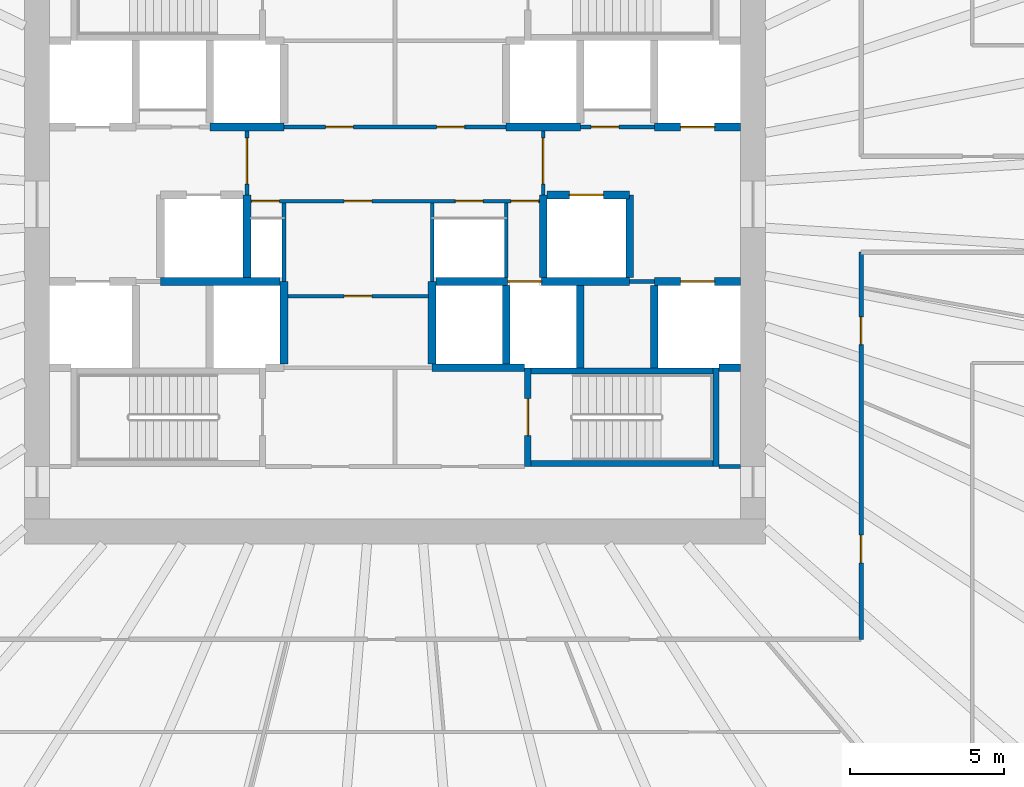
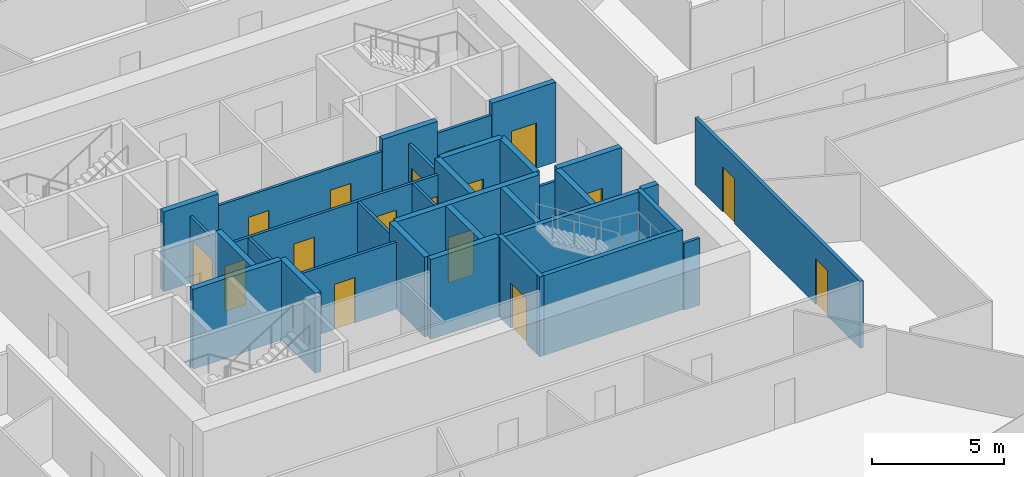
# One storey, part 7 of 10: 33 walls, 17 doors, 17 openings.
"""IFC4 building model written with IfcOpenShell, lengths in metres."""

import ifcopenshell
import ifcopenshell.guid

model = None  # the IFC model being written
_history = None  # IfcOwnerHistory: only IFC2X3 demands one
_inside = {}  # id of a spatial element -> (the spatial element, [elements in it])
_under = {}  # id of a project, library or spatial element -> (it, [spatial elements below it])
_declared = {}  # id of a project -> (the project, [libraries it declares])
_typed = {}  # id of a type object -> (the type object, [elements of that type])
_made_of = {}  # id of a material, layer set ... -> (it, [elements and type objects made of it])


def new_model(schema):
    """Start an empty IFC model of exactly this schema.

    Asked for "IFC4X3", IfcOpenShell would pick the latest addendum, in which some entities
    have other attributes; the version numbers below select the first issue.
    IFC2X3 requires an IfcOwnerHistory on every rooted entity: one is made here for all.
    """
    global model, _history
    if schema == "IFC4X3":
        model = ifcopenshell.file(schema_version=(4, 3, 0, 0))
    else:
        model = ifcopenshell.file(schema=schema)
    _inside.clear()
    _under.clear()
    _declared.clear()
    _typed.clear()
    _made_of.clear()
    _history = None
    if model.schema == "IFC2X3":
        org = make("IfcOrganization", Name="unknown")
        user = make(
            "IfcPersonAndOrganization",
            ThePerson=make("IfcPerson", FamilyName="unknown"),
            TheOrganization=org,
        )
        app = make(
            "IfcApplication",
            ApplicationDeveloper=org,
            Version="unknown",
            ApplicationFullName="unknown",
            ApplicationIdentifier="unknown",
        )
        _history = make(
            "IfcOwnerHistory",
            OwningUser=user,
            OwningApplication=app,
            ChangeAction="ADDED",
            CreationDate=0,
        )
    return model


def make(cls, **values):
    """One entity of the class cls with the attributes given. An attribute that is None is left unset."""
    return model.create_entity(
        cls, **{name: value for name, value in values.items() if value is not None}
    )


def rooted(cls, **values):
    """An entity with a GlobalId (a new one), such as an element, a storey or a relation."""
    return make(cls, GlobalId=ifcopenshell.guid.new(), OwnerHistory=_history, **values)


def si_unit(unit_type, name, prefix=None):
    """IfcSIUnit, for example si_unit("LENGTHUNIT", "METRE", prefix="MILLI")."""
    return make("IfcSIUnit", UnitType=unit_type, Prefix=prefix, Name=name)


def assignment(units):
    """IfcUnitAssignment: the units of a project."""
    return None if units is None else make("IfcUnitAssignment", Units=units)


def point(xyz):
    """IfcCartesianPoint."""
    return None if xyz is None else make("IfcCartesianPoint", Coordinates=xyz)


def direction(xyz):
    """IfcDirection."""
    return None if xyz is None else make("IfcDirection", DirectionRatios=xyz)


def frame(location, z_axis=None, x_axis=None):
    """IfcAxis2Placement3D, a coordinate frame: its origin and axes. An axis left out is left unset."""
    return make(
        "IfcAxis2Placement3D",
        Location=point(location),
        Axis=direction(z_axis),
        RefDirection=direction(x_axis),
    )


def frame_2d(location, x_axis=None):
    """IfcAxis2Placement2D, a coordinate frame in the plane: its origin and x axis."""
    return make(
        "IfcAxis2Placement2D", Location=point(location), RefDirection=direction(x_axis)
    )


def origin():
    """The frame at (0, 0, 0) with its axes left unset."""
    return frame((0.0, 0.0, 0.0))


def place(relative_to, where):
    """IfcLocalPlacement: puts the frame where relative to a parent placement (None: the world)."""
    return make(
        "IfcLocalPlacement", PlacementRelTo=relative_to, RelativePlacement=where
    )


def context(
    kind, dimensions, precision=None, world=None, true_north=None, identifier=None
):
    """IfcGeometricRepresentationContext, for example the 3D "Model" context."""
    return make(
        "IfcGeometricRepresentationContext",
        ContextIdentifier=identifier,
        ContextType=kind,
        CoordinateSpaceDimension=dimensions,
        Precision=precision,
        WorldCoordinateSystem=world,
        TrueNorth=true_north,
    )


def subcontext(parent, identifier, kind, view, scale=None):
    """IfcGeometricRepresentationSubContext, for example "Body" below "Model"."""
    return make(
        "IfcGeometricRepresentationSubContext",
        ContextIdentifier=identifier,
        ContextType=kind,
        ParentContext=parent,
        TargetScale=scale,
        TargetView=view,
    )


def project(units=None, contexts=None):
    """IfcProject with its units and contexts."""
    return rooted(
        "IfcProject",
        Name="project",
        RepresentationContexts=contexts,
        UnitsInContext=assignment(units),
    )


def spatial(cls, under=None, at=None, **own):
    """A site, building, storey or space (cls), placed at a placement, below another one or the project."""
    s = rooted(cls, ObjectPlacement=at, **own)
    if under is not None:
        _under.setdefault(under.id(), (under, []))[1].append(s)
    return s


def profile(cls, at=None, kind="AREA", **sizes):
    """A parametric profile (cls). Its sizes go by their IFC names, for example OverallWidth=200.0."""
    return make(cls, ProfileType=kind, Position=at, **sizes)


def rectangle(**sizes):
    """IfcRectangleProfileDef."""
    return profile("IfcRectangleProfileDef", **sizes)


def extrude(swept, where, along, depth):
    """IfcExtrudedAreaSolid: the profile swept, set in the frame where, extruded along a direction by depth."""
    return make(
        "IfcExtrudedAreaSolid",
        SweptArea=swept,
        Position=where,
        ExtrudedDirection=direction(along),
        Depth=depth,
    )


def shape(context_of_items, identifier, shape_type, items):
    """IfcShapeRepresentation: the items that make up one representation, for example the "Body"."""
    return make(
        "IfcShapeRepresentation",
        ContextOfItems=context_of_items,
        RepresentationIdentifier=identifier,
        RepresentationType=shape_type,
        Items=items,
    )


def source(mapping_origin, context_of_items, identifier, shape_type, items):
    """IfcRepresentationMap: a shape defined once, which mapped items show again and again."""
    return make(
        "IfcRepresentationMap",
        MappingOrigin=mapping_origin,
        MappedRepresentation=shape(context_of_items, identifier, shape_type, items),
    )


def transform(
    local_origin,
    x_axis=None,
    y_axis=None,
    z_axis=None,
    scale=None,
    scale2=None,
    scale3=None,
    uniform=True,
):
    """IfcCartesianTransformationOperator3D, or its non-uniform kind. x_axis, y_axis, z_axis: its Axis1, 2, 3."""
    if uniform:
        return make(
            "IfcCartesianTransformationOperator3D",
            Axis1=direction(x_axis),
            Axis2=direction(y_axis),
            LocalOrigin=point(local_origin),
            Scale=scale,
            Axis3=direction(z_axis),
        )
    return make(
        "IfcCartesianTransformationOperator3DnonUniform",
        Axis1=direction(x_axis),
        Axis2=direction(y_axis),
        LocalOrigin=point(local_origin),
        Scale=scale,
        Axis3=direction(z_axis),
        Scale2=scale2,
        Scale3=scale3,
    )


def mapped(mapping_source, mapping_target):
    """IfcMappedItem: shows the shape of a source again, moved by a transform."""
    return make(
        "IfcMappedItem", MappingSource=mapping_source, MappingTarget=mapping_target
    )


def material(Name=None, Category=None):
    """IfcMaterial."""
    return make("IfcMaterial", Name=Name, Category=Category)


def layer(
    of_material, thickness, ventilated=None, Name=None, Category=None, Priority=None
):
    """IfcMaterialLayer: one layer of a wall or slab, of a material (None: an air gap)."""
    return make(
        "IfcMaterialLayer",
        Material=of_material,
        LayerThickness=thickness,
        IsVentilated=ventilated,
        Name=Name,
        Category=Category,
        Priority=Priority,
    )


def layer_set(layers, Name=None):
    """IfcMaterialLayerSet."""
    return make("IfcMaterialLayerSet", MaterialLayers=layers, LayerSetName=Name)


def made_of(thing, what):
    """Note that an element or type object is made of a material, layer set ...; save() writes the relation."""
    if what is not None:
        _made_of.setdefault(what.id(), (what, []))[1].append(thing)
    return thing


def type_object(cls, material=None, **own):
    """A type object (cls), such as IfcWallType, which elements share."""
    return made_of(rooted(cls, **own), material)


def element(
    cls,
    number,
    at=None,
    inside=None,
    cuts=None,
    type_object=None,
    material=None,
    context=None,
    identifier="Body",
    shape_type=None,
    held_by="IfcProductDefinitionShape",
    body=None,
    shapes=None,
    **own,
):
    """One element of the class cls, such as IfcWall. Its Tag is "e" and its number.

    at: its placement. inside: the storey or other place that contains it. cuts: it is an
    opening in that element (IfcRelVoidsElement). A single representation is given by context,
    identifier, shape_type and body (its items); several are given by shapes. held_by: the class
    of the entity that holds the representations. save() writes the other relations.
    """
    e = rooted(cls, Tag="e%d" % number, ObjectPlacement=at, **own)
    if body is not None:
        shapes = [shape(context, identifier, shape_type, body)]
    if shapes is not None:
        e.Representation = make(held_by, Representations=shapes)
    if inside is not None:
        _inside.setdefault(inside.id(), (inside, []))[1].append(e)
    if cuts is not None:
        rooted(
            "IfcRelVoidsElement", RelatingBuildingElement=cuts, RelatedOpeningElement=e
        )
    if type_object is not None:
        _typed.setdefault(type_object.id(), (type_object, []))[1].append(e)
    return made_of(e, material)


def fill(opening, filler):
    """IfcRelFillsElement: the door or window that sits in an opening."""
    return rooted(
        "IfcRelFillsElement",
        RelatingOpeningElement=opening,
        RelatedBuildingElement=filler,
    )


def aggregate(whole, parts):
    """IfcRelAggregates: a whole, such as a stair, and the parts it consists of."""
    return rooted("IfcRelAggregates", RelatingObject=whole, RelatedObjects=parts)


def save(model, path):
    """Write the relations noted so far, then the file.

    IfcRelAggregates (storeys below a building ...), IfcRelContainedInSpatialStructure (elements
    in a storey), IfcRelDefinesByType, IfcRelAssociatesMaterial and IfcRelDeclares: one each for
    every whole, place, type object, material and project.
    """
    for whole, parts in _under.values():
        aggregate(whole, parts)
    for where, things in _inside.values():
        rooted(
            "IfcRelContainedInSpatialStructure",
            RelatedElements=things,
            RelatingStructure=where,
        )
    for kind, things in _typed.values():
        rooted("IfcRelDefinesByType", RelatedObjects=things, RelatingType=kind)
    for what, things in _made_of.values():
        rooted("IfcRelAssociatesMaterial", RelatedObjects=things, RelatingMaterial=what)
    for by, libraries in _declared.values():
        rooted("IfcRelDeclares", RelatingContext=by, RelatedDefinitions=libraries)
    model.write(path)


model = new_model("IFC4")

# Units and contexts
model_context = context("Model", 3, precision=1e-05, world=origin(), true_north=direction((0.0, 1.0)))
body_context = subcontext(model_context, "Body", "Model", "MODEL_VIEW")
ifc_project = project(units=[si_unit("LENGTHUNIT", "METRE"), si_unit("AREAUNIT", "SQUARE_METRE"), si_unit("VOLUMEUNIT", "CUBIC_METRE"), si_unit("PLANEANGLEUNIT", "RADIAN"), si_unit("MASSUNIT", "GRAM", prefix="KILO")], contexts=[model_context])

# Site, building, storey
site_placement = place(None, origin())
site = spatial("IfcSite", under=ifc_project, at=site_placement, CompositionType="ELEMENT")
building_placement = place(site_placement, origin())
building = spatial("IfcBuilding", under=site, at=building_placement, Name="Embergate Tower", CompositionType="ELEMENT")
storey_placement = place(building_placement, frame((0.0, 0.0, 156.0)))
storey = spatial("IfcBuildingStorey", under=building, at=storey_placement, Name="L34", CompositionType="ELEMENT", Elevation=156.0)

# Walls
ifc_material_1 = material(Name="Concrete C50", Category="concrete")
ifc_layer_1 = layer(ifc_material_1, 0.25)
ifc_layer_set_1 = layer_set([ifc_layer_1], Name="Concrete C50")
wall_type_1 = type_object("IfcWallType", Name="Hoistway wall reinforced concrete 250", PredefinedType="SHEAR", material=ifc_layer_set_1)
shared_shape_1 = source(origin(), body_context, "Body", "SweptSolid", [
    extrude(rectangle(XDim=2.675048828125, YDim=0.25, at=frame_2d((1.33740234375, 0.0))), origin(), (0.0, 0.0, 1.0), 3.699951171875),
])
for number, where, z_axis, x_axis, name in (
    (1, (-3.60009765625, -5.175048828125, 0.0), (0.0, 0.0, 1.0), (0.0, 1.0, 0.0), "HW-1 wall"),
    (2, (1.199951171875, -2.5, 0.0), (0.0, 0.0, 1.0), (0.0, -1.0, 0.0), "HW-1 wall"),
    (3, (-4.800048828125, 0.300048828125, 0.0), (0.0, 0.0, 1.0), (0.0, -1.0, 0.0), "HW-1 wall"),
    (4, (4.800048828125, -2.375, 0.0), (0.0, 0.0, 1.0), (0.0, 1.0, 0.0), "HW-1 wall"),
):
    element("IfcWall", number, at=place(storey_placement, frame(where, z_axis=z_axis, x_axis=x_axis)), inside=storey, type_object=wall_type_1, Name=name, PredefinedType="SHEAR", context=body_context, shape_type="MappedRepresentation", body=[
        mapped(shared_shape_1, transform((0.0, 0.0, 0.0))),
    ])

# Wall, opening, door
wall_1_placement = place(storey_placement, frame((7.60009765625, 0.300048828125, 0.0), z_axis=(0.0, 0.0, 1.0), x_axis=(-1.0, 0.0, 0.0)))
wall_1 = element("IfcWall", 5, at=wall_1_placement, inside=storey, type_object=wall_type_1, Name="HW-1 wall", PredefinedType="SHEAR", context=body_context, shape_type="MappedRepresentation", body=[
    mapped(shared_shape_1, transform((0.0, 0.0, 0.0))),
])
shared_shape_2 = source(origin(), body_context, "Body", "SweptSolid", [
    extrude(rectangle(XDim=1.10009765625, YDim=2.10009765625, at=frame_2d((0.550048828125, 1.050048828125))), frame((0.0, 0.135009765625, 0.0), z_axis=(0.0, -1.0, 0.0), x_axis=(1.0, 0.0, 0.0)), (0.0, 0.0, 1.0), 0.27001953125),
])
opening_1_placement = place(wall_1_placement, frame((0.85009765625, 0.0, 0.0)))
opening_1 = element("IfcOpeningElement", 6, at=opening_1_placement, cuts=wall_1, Name="Opening LD", PredefinedType="OPENING", context=body_context, shape_type="MappedRepresentation", body=[
    mapped(shared_shape_2, transform((0.0, 0.0, 0.0))),
])
ifc_material_2 = material(Name="Landing door sliding 1100")
door_type_1 = type_object("IfcDoorType", Name="Landing door sliding 1100", OperationType="SLIDING_TO_LEFT", PredefinedType="DOOR", material=ifc_material_2)
shared_shape_3 = source(origin(), body_context, "Body", "SweptSolid", [
    extrude(rectangle(XDim=1.10009765625, YDim=2.10009765625, at=frame_2d((0.550048828125, 1.050048828125))), frame((0.0, 0.02490234375, 0.0), z_axis=(0.0, -1.0, 0.0), x_axis=(1.0, 0.0, 0.0)), (0.0, 0.0, 1.0), 0.050048828125),
])
door_1_placement = place(opening_1_placement, origin())
door_1 = element("IfcDoor", 7, at=door_1_placement, inside=storey, type_object=door_type_1, Name="LD door", OperationType="SLIDING_TO_RIGHT", OverallHeight=2.10009765625, OverallWidth=1.10009765625, PredefinedType="DOOR", context=body_context, shape_type="MappedRepresentation", body=[
    mapped(shared_shape_3, transform((0.0, 0.0, 0.0))),
])
fill(opening_1, door_1)

# Walls
wall_2_placement = place(storey_placement, frame((7.60009765625, -2.375, 0.0), z_axis=(0.0, 0.0, 1.0), x_axis=(0.0, 1.0, 0.0)))
element("IfcWall", 8, at=wall_2_placement, inside=storey, type_object=wall_type_1, Name="HW-1 wall", PredefinedType="SHEAR", context=body_context, shape_type="MappedRepresentation", body=[
    mapped(shared_shape_1, transform((0.0, 0.0, 0.0))),
])
ifc_layer_2 = layer(ifc_material_1, 0.199951171875)
ifc_layer_set_2 = layer_set([ifc_layer_2], Name="Concrete C50")
wall_type_2 = type_object("IfcWallType", Name="Stair enclosure wall reinforced concrete 250", PredefinedType="SHEAR", material=ifc_layer_set_2)
shared_shape_4 = source(origin(), body_context, "Body", "SweptSolid", [
    extrude(rectangle(XDim=6.300048828125, YDim=0.199951171875, at=frame_2d((3.14990234375, 0.0))), origin(), (0.0, 0.0, 1.0), 3.699951171875),
])
for number, where, z_axis, x_axis, name in (
    (9, (4.199951171875, -5.39990234375, 0.0), (0.0, 0.0, 1.0), (1.0, 0.0, 0.0), "SE-1 wall"),
    (10, (4.199951171875, -8.39990234375, 0.0), (0.0, 0.0, 1.0), (1.0, 0.0, 0.0), "SE-1 wall"),
):
    element("IfcWall", number, at=place(storey_placement, frame(where, z_axis=z_axis, x_axis=x_axis)), inside=storey, type_object=wall_type_2, Name=name, PredefinedType="SHEAR", context=body_context, shape_type="MappedRepresentation", body=[
        mapped(shared_shape_4, transform((0.0, 0.0, 0.0))),
    ])
shared_shape_5 = source(origin(), body_context, "Body", "SweptSolid", [
    extrude(rectangle(XDim=2.550048828125, YDim=0.25, at=frame_2d((1.27490234375, 0.0))), origin(), (0.0, 0.0, 1.0), 3.699951171875),
])
wall_3_placement = place(storey_placement, frame((3.60009765625, -5.175048828125, 0.0), z_axis=(0.0, 0.0, 1.0), x_axis=(0.0, 1.0, 0.0)))
element("IfcWall", 11, at=wall_3_placement, inside=storey, type_object=wall_type_1, Name="HW-1 wall", PredefinedType="SHEAR", context=body_context, shape_type="MappedRepresentation", body=[
    mapped(shared_shape_5, transform((0.0, 0.0, 0.0))),
])

# Wall, opening, door
ifc_material_3 = material(Name="Core partition blockwork 120")
ifc_layer_3 = layer(ifc_material_3, 0.1201171875)
ifc_layer_set_3 = layer_set([ifc_layer_3], Name="Core partition blockwork 120")
wall_type_3 = type_object("IfcWallType", Name="Core partition blockwork 120", PredefinedType="PARTITIONING", material=ifc_layer_set_3)
shared_shape_6 = source(origin(), body_context, "Body", "SweptSolid", [
    extrude(rectangle(XDim=2.074951171875, YDim=0.1201171875, at=frame_2d((1.03759765625, 0.0))), origin(), (0.0, 0.0, 1.0), 3.10009765625),
])
wall_4_placement = place(storey_placement, frame((-4.800048828125, 2.375, 0.0), z_axis=(0.0, 0.0, 1.0), x_axis=(0.0, -1.0, 0.0)))
wall_4 = element("IfcWall", 12, at=wall_4_placement, inside=storey, type_object=wall_type_3, Name="IP-3 wall", PredefinedType="PARTITIONING", context=body_context, shape_type="MappedRepresentation", body=[
    mapped(shared_shape_6, transform((0.0, 0.0, 0.0))),
])
shared_shape_7 = source(origin(), body_context, "Body", "SweptSolid", [
    extrude(rectangle(XDim=1.5, YDim=2.10009765625, at=frame_2d((0.75, 1.050048828125))), frame((0.0, 0.070068359375, 0.0), z_axis=(0.0, -1.0, 0.0), x_axis=(1.0, 0.0, 0.0)), (0.0, 0.0, 1.0), 0.14013671875),
])
opening_2_placement = place(wall_4_placement, frame((0.22509765625, 0.0, 0.0)))
opening_2 = element("IfcOpeningElement", 13, at=opening_2_placement, cuts=wall_4, Name="Opening IF-3", PredefinedType="OPENING", context=body_context, shape_type="MappedRepresentation", body=[
    mapped(shared_shape_7, transform((0.0, 0.0, 0.0))),
])
ifc_material_4 = material(Name="Lobby fire door pair 1500")
door_type_2 = type_object("IfcDoorType", Name="Lobby fire door pair 1500", OperationType="DOUBLE_DOOR_SINGLE_SWING", PredefinedType="DOOR", material=ifc_material_4)
shared_shape_8 = source(origin(), body_context, "Body", "SweptSolid", [
    extrude(rectangle(XDim=1.5, YDim=2.10009765625, at=frame_2d((0.75, 1.050048828125))), frame((0.0, 0.02490234375, 0.0), z_axis=(0.0, -1.0, 0.0), x_axis=(1.0, 0.0, 0.0)), (0.0, 0.0, 1.0), 0.050048828125),
])
door_2_placement = place(opening_2_placement, origin())
door_2 = element("IfcDoor", 14, at=door_2_placement, inside=storey, type_object=door_type_2, Name="IF-3 door", OperationType="DOUBLE_DOOR_SINGLE_SWING", OverallHeight=2.10009765625, OverallWidth=1.5, PredefinedType="DOOR", context=body_context, shape_type="MappedRepresentation", body=[
    mapped(shared_shape_8, transform((0.0, 0.0, 0.0))),
])
fill(opening_2, door_2)

wall_5_placement = place(storey_placement, frame((4.800048828125, 0.300048828125, 0.0), z_axis=(0.0, 0.0, 1.0), x_axis=(0.0, 1.0, 0.0)))
wall_5 = element("IfcWall", 15, at=wall_5_placement, inside=storey, type_object=wall_type_3, Name="IP-3 wall", PredefinedType="PARTITIONING", context=body_context, shape_type="MappedRepresentation", body=[
    mapped(shared_shape_6, transform((0.0, 0.0, 0.0))),
])
opening_3_placement = place(wall_5_placement, frame((0.35009765625, 0.0, 0.0)))
opening_3 = element("IfcOpeningElement", 16, at=opening_3_placement, cuts=wall_5, Name="Opening IF-3", PredefinedType="OPENING", context=body_context, shape_type="MappedRepresentation", body=[
    mapped(shared_shape_7, transform((0.0, 0.0, 0.0))),
])
door_3_placement = place(opening_3_placement, origin())
door_3 = element("IfcDoor", 17, at=door_3_placement, inside=storey, type_object=door_type_2, Name="IF-3 door", OperationType="DOUBLE_DOOR_SINGLE_SWING", OverallHeight=2.10009765625, OverallWidth=1.5, PredefinedType="DOOR", context=body_context, shape_type="MappedRepresentation", body=[
    mapped(shared_shape_8, transform((0.0, 0.0, 0.0))),
])
fill(opening_3, door_3)

shared_shape_9 = source(origin(), body_context, "Body", "SweptSolid", [
    extrude(rectangle(XDim=3.199951171875, YDim=0.199951171875, at=frame_2d((1.60009765625, 0.0))), origin(), (0.0, 0.0, 1.0), 3.699951171875),
])
wall_6_placement = place(storey_placement, frame((4.300048828125, -5.300048828125, 0.0), z_axis=(0.0, 0.0, 1.0), x_axis=(0.0, -1.0, 0.0)))
wall_6 = element("IfcWall", 18, at=wall_6_placement, inside=storey, type_object=wall_type_2, Name="SE-1 wall", PredefinedType="SHEAR", context=body_context, shape_type="MappedRepresentation", body=[
    mapped(shared_shape_9, transform((0.0, 0.0, 0.0))),
])
shared_shape_10 = source(origin(), body_context, "Body", "SweptSolid", [
    extrude(rectangle(XDim=1.199951171875, YDim=2.10009765625, at=frame_2d((0.60009765625, 1.050048828125))), frame((0.0, 0.10986328125, 0.0), z_axis=(0.0, -1.0, 0.0), x_axis=(1.0, 0.0, 0.0)), (0.0, 0.0, 1.0), 0.219970703125),
])
opening_4_placement = place(wall_6_placement, frame((1.0, 0.0, 0.0)))
opening_4 = element("IfcOpeningElement", 19, at=opening_4_placement, cuts=wall_6, Name="Opening IF-2", PredefinedType="OPENING", context=body_context, shape_type="MappedRepresentation", body=[
    mapped(shared_shape_10, transform((0.0, 0.0, 0.0))),
])
ifc_material_5 = material(Name="Stair enclosure door 1200")
door_type_3 = type_object("IfcDoorType", Name="Stair enclosure door 1200", OperationType="SINGLE_SWING_LEFT", PredefinedType="DOOR", material=ifc_material_5)
shared_shape_11 = source(origin(), body_context, "Body", "SweptSolid", [
    extrude(rectangle(XDim=1.199951171875, YDim=2.10009765625, at=frame_2d((0.60009765625, 1.050048828125))), frame((0.0, 0.02490234375, 0.0), z_axis=(0.0, -1.0, 0.0), x_axis=(1.0, 0.0, 0.0)), (0.0, 0.0, 1.0), 0.050048828125),
])
door_4_placement = place(opening_4_placement, origin())
door_4 = element("IfcDoor", 20, at=door_4_placement, inside=storey, type_object=door_type_3, Name="IF-2 door", OperationType="SINGLE_SWING_RIGHT", OverallHeight=2.10009765625, OverallWidth=1.199951171875, PredefinedType="DOOR", context=body_context, shape_type="MappedRepresentation", body=[
    mapped(shared_shape_11, transform((0.0, 0.0, 0.0))),
])
fill(opening_4, door_4)

# Walls
shared_shape_12 = source(origin(), body_context, "Body", "SweptSolid", [
    extrude(rectangle(XDim=2.39990234375, YDim=0.25, at=frame_2d((1.199951171875, 0.0))), origin(), (0.0, 0.0, 1.0), 3.699951171875),
])
for number, where, z_axis, x_axis, name in (
    (21, (-6.0, 2.5, 0.0), (0.0, 0.0, 1.0), (1.0, 0.0, 0.0), "HW-1 wall"),
    (22, (3.60009765625, 2.5, 0.0), (0.0, 0.0, 1.0), (1.0, 0.0, 0.0), "HW-1 wall"),
):
    element("IfcWall", number, at=place(storey_placement, frame(where, z_axis=z_axis, x_axis=x_axis)), inside=storey, type_object=wall_type_1, Name=name, PredefinedType="SHEAR", context=body_context, shape_type="MappedRepresentation", body=[
        mapped(shared_shape_12, transform((0.0, 0.0, 0.0))),
    ])

# Wall, opening, door
shared_shape_13 = source(origin(), body_context, "Body", "SweptSolid", [
    extrude(rectangle(XDim=2.800048828125, YDim=0.25, at=frame_2d((1.39990234375, 0.0))), origin(), (0.0, 0.0, 1.0), 3.699951171875),
])
wall_7_placement = place(storey_placement, frame((8.39990234375, 2.5, 0.0), z_axis=(0.0, 0.0, 1.0), x_axis=(1.0, 0.0, 0.0)))
wall_7 = element("IfcWall", 23, at=wall_7_placement, inside=storey, type_object=wall_type_1, Name="HW-1 wall", PredefinedType="SHEAR", context=body_context, shape_type="MappedRepresentation", body=[
    mapped(shared_shape_13, transform((0.0, 0.0, 0.0))),
])
opening_5_placement = place(wall_7_placement, frame((0.85009765625, 0.0, 0.0)))
opening_5 = element("IfcOpeningElement", 24, at=opening_5_placement, cuts=wall_7, Name="Opening LD", PredefinedType="OPENING", context=body_context, shape_type="MappedRepresentation", body=[
    mapped(shared_shape_2, transform((0.0, 0.0, 0.0))),
])
door_5_placement = place(opening_5_placement, origin())
door_5 = element("IfcDoor", 25, at=door_5_placement, inside=storey, type_object=door_type_1, Name="LD door", OperationType="SLIDING_TO_RIGHT", OverallHeight=2.10009765625, OverallWidth=1.10009765625, PredefinedType="DOOR", context=body_context, shape_type="MappedRepresentation", body=[
    mapped(shared_shape_3, transform((0.0, 0.0, 0.0))),
])
fill(opening_5, door_5)

wall_8_placement = place(storey_placement, frame((11.199951171875, -2.5, 0.0), z_axis=(0.0, 0.0, 1.0), x_axis=(-1.0, 0.0, 0.0)))
wall_8 = element("IfcWall", 26, at=wall_8_placement, inside=storey, type_object=wall_type_1, Name="HW-1 wall", PredefinedType="SHEAR", context=body_context, shape_type="MappedRepresentation", body=[
    mapped(shared_shape_13, transform((0.0, 0.0, 0.0))),
])
opening_6_placement = place(wall_8_placement, frame((0.85009765625, 0.0, 0.0)))
opening_6 = element("IfcOpeningElement", 27, at=opening_6_placement, cuts=wall_8, Name="Opening LD", PredefinedType="OPENING", context=body_context, shape_type="MappedRepresentation", body=[
    mapped(shared_shape_2, transform((0.0, 0.0, 0.0))),
])
door_6_placement = place(opening_6_placement, origin())
door_6 = element("IfcDoor", 28, at=door_6_placement, inside=storey, type_object=door_type_1, Name="LD door", OperationType="SLIDING_TO_LEFT", OverallHeight=2.10009765625, OverallWidth=1.10009765625, PredefinedType="DOOR", context=body_context, shape_type="MappedRepresentation", body=[
    mapped(shared_shape_3, transform((0.0, 0.0, 0.0))),
])
fill(opening_6, door_6)

shared_shape_14 = source(origin(), body_context, "Body", "SweptSolid", [
    extrude(rectangle(XDim=2.39990234375, YDim=0.1201171875, at=frame_2d((1.199951171875, 0.0))), origin(), (0.0, 0.0, 1.0), 3.10009765625),
])
wall_9_placement = place(storey_placement, frame((6.0, 2.5, 0.0), z_axis=(0.0, 0.0, 1.0), x_axis=(1.0, 0.0, 0.0)))
wall_9 = element("IfcWall", 29, at=wall_9_placement, inside=storey, type_object=wall_type_3, Name="IP-3 wall", PredefinedType="PARTITIONING", context=body_context, shape_type="MappedRepresentation", body=[
    mapped(shared_shape_14, transform((0.0, 0.0, 0.0))),
])
shared_shape_15 = source(origin(), body_context, "Body", "SweptSolid", [
    extrude(rectangle(XDim=0.89990234375, YDim=2.10009765625, at=frame_2d((0.449951171875, 1.050048828125))), frame((0.0, 0.070068359375, 0.0), z_axis=(0.0, -1.0, 0.0), x_axis=(1.0, 0.0, 0.0)), (0.0, 0.0, 1.0), 0.14013671875),
])
opening_7_placement = place(wall_9_placement, frame((0.35009765625, 0.0, 0.0)))
opening_7 = element("IfcOpeningElement", 30, at=opening_7_placement, cuts=wall_9, Name="Opening ID-1", PredefinedType="OPENING", context=body_context, shape_type="MappedRepresentation", body=[
    mapped(shared_shape_15, transform((0.0, 0.0, 0.0))),
])
ifc_material_6 = material(Name="Interior door 900")
door_type_4 = type_object("IfcDoorType", Name="Interior door 900", OperationType="SINGLE_SWING_LEFT", PredefinedType="DOOR", material=ifc_material_6)
shared_shape_16 = source(origin(), body_context, "Body", "SweptSolid", [
    extrude(rectangle(XDim=0.89990234375, YDim=2.10009765625, at=frame_2d((0.449951171875, 1.050048828125))), frame((0.0, 0.02490234375, 0.0), z_axis=(0.0, -1.0, 0.0), x_axis=(1.0, 0.0, 0.0)), (0.0, 0.0, 1.0), 0.050048828125),
])
door_7_placement = place(opening_7_placement, origin())
door_7 = element("IfcDoor", 31, at=door_7_placement, inside=storey, type_object=door_type_4, Name="ID-1 door", OperationType="SINGLE_SWING_RIGHT", OverallHeight=2.10009765625, OverallWidth=0.89990234375, PredefinedType="DOOR", context=body_context, shape_type="MappedRepresentation", body=[
    mapped(shared_shape_16, transform((0.0, 0.0, 0.0))),
])
fill(opening_7, door_7)

# Wall
shared_shape_17 = source(origin(), body_context, "Body", "SweptSolid", [
    extrude(rectangle(XDim=3.872802734375, YDim=0.25, at=frame_2d((1.9365234375, 0.0))), origin(), (0.0, 0.0, 1.0), 3.699951171875),
])
wall_10_placement = place(storey_placement, frame((-3.72509765625, -2.5, 0.0), z_axis=(0.0, 0.0, 1.0), x_axis=(-1.0, 0.0, 0.0)))
element("IfcWall", 32, at=wall_10_placement, inside=storey, type_object=wall_type_1, Name="HW-1 wall", PredefinedType="SHEAR", context=body_context, shape_type="MappedRepresentation", body=[
    mapped(shared_shape_17, transform((0.0, 0.0, 0.0))),
])

# Wall, opening, door
shared_shape_18 = source(origin(), body_context, "Body", "SweptSolid", [
    extrude(rectangle(XDim=6.27294921875, YDim=0.25, at=frame_2d((3.136474609375, 0.0))), origin(), (0.0, 0.0, 1.0), 3.699951171875),
])
wall_11_placement = place(storey_placement, frame((7.597900390625, -2.5, 0.0), z_axis=(0.0, 0.0, 1.0), x_axis=(-1.0, 0.0, 0.0)))
wall_11 = element("IfcWall", 33, at=wall_11_placement, inside=storey, type_object=wall_type_1, Name="HW-1 wall", PredefinedType="SHEAR", context=body_context, shape_type="MappedRepresentation", body=[
    mapped(shared_shape_18, transform((0.0, 0.0, 0.0))),
])
opening_8_placement = place(wall_11_placement, frame((2.847900390625, 0.0, 0.0)))
opening_8 = element("IfcOpeningElement", 34, at=opening_8_placement, cuts=wall_11, Name="Opening LD", PredefinedType="OPENING", context=body_context, shape_type="MappedRepresentation", body=[
    mapped(shared_shape_2, transform((0.0, 0.0, 0.0))),
])
door_8_placement = place(opening_8_placement, origin())
door_8 = element("IfcDoor", 35, at=door_8_placement, inside=storey, type_object=door_type_1, Name="LD door", OperationType="SLIDING_TO_LEFT", OverallHeight=2.10009765625, OverallWidth=1.10009765625, PredefinedType="DOOR", context=body_context, shape_type="MappedRepresentation", body=[
    mapped(shared_shape_3, transform((0.0, 0.0, 0.0))),
])
fill(opening_8, door_8)

# Wall
shared_shape_19 = source(origin(), body_context, "Body", "SweptSolid", [
    extrude(rectangle(XDim=3.0, YDim=0.25, at=frame_2d((1.5, 0.0))), origin(), (0.0, 0.0, 1.0), 3.699951171875),
])
wall_12_placement = place(storey_placement, frame((1.199951171875, -5.300048828125, 0.0), z_axis=(0.0, 0.0, 1.0), x_axis=(1.0, 0.0, 0.0)))
element("IfcWall", 36, at=wall_12_placement, inside=storey, type_object=wall_type_1, Name="HW-1 wall", PredefinedType="SHEAR", context=body_context, shape_type="MappedRepresentation", body=[
    mapped(shared_shape_19, transform((0.0, 0.0, 0.0))),
])

# Wall, openings, doors
shared_shape_20 = source(origin(), body_context, "Body", "SweptSolid", [
    extrude(rectangle(XDim=9.35009765625, YDim=0.1201171875, at=frame_2d((4.675048828125, 0.0))), origin(), (0.0, 0.0, 1.0), 3.10009765625),
])
wall_13_placement = place(storey_placement, frame((-4.675048828125, 0.10009765625, 0.0), z_axis=(0.0, 0.0, 1.0), x_axis=(1.0, 0.0, 0.0)))
wall_13 = element("IfcWall", 37, at=wall_13_placement, inside=storey, type_object=wall_type_3, Name="IP-3 wall", PredefinedType="PARTITIONING", context=body_context, shape_type="MappedRepresentation", body=[
    mapped(shared_shape_20, transform((0.0, 0.0, 0.0))),
])
opening_9_placement = place(wall_13_placement, frame((8.425048828125, 0.0, 0.0)))
opening_9 = element("IfcOpeningElement", 38, at=opening_9_placement, cuts=wall_13, Name="Opening IF-3c", PredefinedType="OPENING", context=body_context, shape_type="MappedRepresentation", body=[
    mapped(shared_shape_15, transform((0.0, 0.0, 0.0))),
])
opening_10_placement = place(wall_13_placement, frame((0.02490234375, 0.0, 0.0)))
opening_10 = element("IfcOpeningElement", 39, at=opening_10_placement, cuts=wall_13, Name="Opening ID-1", PredefinedType="OPENING", context=body_context, shape_type="MappedRepresentation", body=[
    mapped(shared_shape_15, transform((0.0, 0.0, 0.0))),
])
opening_11_placement = place(wall_13_placement, frame((6.625, 0.0, 0.0)))
opening_11 = element("IfcOpeningElement", 40, at=opening_11_placement, cuts=wall_13, Name="Opening ID-1", PredefinedType="OPENING", context=body_context, shape_type="MappedRepresentation", body=[
    mapped(shared_shape_15, transform((0.0, 0.0, 0.0))),
])
opening_12_placement = place(wall_13_placement, frame((3.02490234375, 0.0, 0.0)))
opening_12 = element("IfcOpeningElement", 41, at=opening_12_placement, cuts=wall_13, Name="Opening ID-1", PredefinedType="OPENING", context=body_context, shape_type="MappedRepresentation", body=[
    mapped(shared_shape_15, transform((0.0, 0.0, 0.0))),
])
ifc_material_7 = material(Name="Lobby fire door pair 900")
door_type_5 = type_object("IfcDoorType", Name="Lobby fire door pair 900", OperationType="DOUBLE_DOOR_SINGLE_SWING", PredefinedType="DOOR", material=ifc_material_7)
door_9_placement = place(opening_9_placement, origin())
door_9 = element("IfcDoor", 42, at=door_9_placement, inside=storey, type_object=door_type_5, Name="IF-3 door", OperationType="DOUBLE_DOOR_SINGLE_SWING", OverallHeight=2.10009765625, OverallWidth=0.89990234375, PredefinedType="DOOR", context=body_context, shape_type="MappedRepresentation", body=[
    mapped(shared_shape_16, transform((0.0, 0.0, 0.0))),
])
fill(opening_9, door_9)
door_10_placement = place(opening_10_placement, origin())
door_10 = element("IfcDoor", 43, at=door_10_placement, inside=storey, type_object=door_type_4, Name="ID-1 door", OperationType="SINGLE_SWING_RIGHT", OverallHeight=2.10009765625, OverallWidth=0.89990234375, PredefinedType="DOOR", context=body_context, shape_type="MappedRepresentation", body=[
    mapped(shared_shape_16, transform((0.0, 0.0, 0.0))),
])
fill(opening_10, door_10)
door_11_placement = place(opening_11_placement, origin())
door_11 = element("IfcDoor", 44, at=door_11_placement, inside=storey, type_object=door_type_4, Name="ID-1 door", OperationType="SINGLE_SWING_RIGHT", OverallHeight=2.10009765625, OverallWidth=0.89990234375, PredefinedType="DOOR", context=body_context, shape_type="MappedRepresentation", body=[
    mapped(shared_shape_16, transform((0.0, 0.0, 0.0))),
])
fill(opening_11, door_11)
door_12_placement = place(opening_12_placement, origin())
door_12 = element("IfcDoor", 45, at=door_12_placement, inside=storey, type_object=door_type_4, Name="ID-1 door", OperationType="SINGLE_SWING_LEFT", OverallHeight=2.10009765625, OverallWidth=0.89990234375, PredefinedType="DOOR", context=body_context, shape_type="MappedRepresentation", body=[
    mapped(shared_shape_16, transform((0.0, 0.0, 0.0))),
])
fill(opening_12, door_12)

shared_shape_21 = source(origin(), body_context, "Body", "SweptSolid", [
    extrude(rectangle(XDim=7.2001953125, YDim=0.1201171875, at=frame_2d((3.60009765625, 0.0))), origin(), (0.0, 0.0, 1.0), 3.10009765625),
])
wall_14_placement = place(storey_placement, frame((3.60009765625, 2.5, 0.0), z_axis=(0.0, 0.0, 1.0), x_axis=(-1.0, 0.0, 0.0)))
wall_14 = element("IfcWall", 46, at=wall_14_placement, inside=storey, type_object=wall_type_3, Name="IP-3 wall", PredefinedType="PARTITIONING", context=body_context, shape_type="MappedRepresentation", body=[
    mapped(shared_shape_21, transform((0.0, 0.0, 0.0))),
])
opening_13_placement = place(wall_14_placement, frame((4.949951171875, 0.0, 0.0)))
opening_13 = element("IfcOpeningElement", 47, at=opening_13_placement, cuts=wall_14, Name="Opening ID-1", PredefinedType="OPENING", context=body_context, shape_type="MappedRepresentation", body=[
    mapped(shared_shape_15, transform((0.0, 0.0, 0.0))),
])
opening_14_placement = place(wall_14_placement, frame((1.35009765625, 0.0, 0.0)))
opening_14 = element("IfcOpeningElement", 48, at=opening_14_placement, cuts=wall_14, Name="Opening ID-1", PredefinedType="OPENING", context=body_context, shape_type="MappedRepresentation", body=[
    mapped(shared_shape_15, transform((0.0, 0.0, 0.0))),
])
door_13_placement = place(opening_13_placement, origin())
door_13 = element("IfcDoor", 49, at=door_13_placement, inside=storey, type_object=door_type_4, Name="ID-1 door", OperationType="SINGLE_SWING_RIGHT", OverallHeight=2.10009765625, OverallWidth=0.89990234375, PredefinedType="DOOR", context=body_context, shape_type="MappedRepresentation", body=[
    mapped(shared_shape_16, transform((0.0, 0.0, 0.0))),
])
fill(opening_13, door_13)
door_14_placement = place(opening_14_placement, origin())
door_14 = element("IfcDoor", 50, at=door_14_placement, inside=storey, type_object=door_type_4, Name="ID-1 door", OperationType="SINGLE_SWING_LEFT", OverallHeight=2.10009765625, OverallWidth=0.89990234375, PredefinedType="DOOR", context=body_context, shape_type="MappedRepresentation", body=[
    mapped(shared_shape_16, transform((0.0, 0.0, 0.0))),
])
fill(opening_14, door_14)

# Walls
shared_shape_22 = source(origin(), body_context, "Body", "SweptSolid", [
    extrude(rectangle(XDim=2.5400390625, YDim=0.1201171875, at=frame_2d((1.27001953125, 0.0))), origin(), (0.0, 0.0, 1.0), 3.10009765625),
])
for number, where, z_axis, x_axis, name in (
    (51, (-3.60009765625, -2.5, 0.0), (0.0, 0.0, 1.0), (0.0, 1.0, 0.0), "IP-3 wall"),
    (52, (1.199951171875, 0.0400390625, 0.0), (0.0, 0.0, 1.0), (0.0, -1.0, 0.0), "IP-3 wall"),
):
    element("IfcWall", number, at=place(storey_placement, frame(where, z_axis=z_axis, x_axis=x_axis)), inside=storey, type_object=wall_type_3, Name=name, PredefinedType="PARTITIONING", context=body_context, shape_type="MappedRepresentation", body=[
        mapped(shared_shape_22, transform((0.0, 0.0, 0.0))),
    ])
shared_shape_23 = source(origin(), body_context, "Body", "SweptSolid", [
    extrude(rectangle(XDim=2.4150390625, YDim=0.1201171875, at=frame_2d((1.20751953125, 0.0))), origin(), (0.0, 0.0, 1.0), 3.10009765625),
])
wall_15_placement = place(storey_placement, frame((3.60009765625, -2.375, 0.0), z_axis=(0.0, 0.0, 1.0), x_axis=(0.0, 1.0, 0.0)))
element("IfcWall", 53, at=wall_15_placement, inside=storey, type_object=wall_type_3, Name="IP-3 wall", PredefinedType="PARTITIONING", context=body_context, shape_type="MappedRepresentation", body=[
    mapped(shared_shape_23, transform((0.0, 0.0, 0.0))),
])

# Wall, opening, door
shared_shape_24 = source(origin(), body_context, "Body", "SweptSolid", [
    extrude(rectangle(XDim=4.550048828125, YDim=0.1201171875, at=frame_2d((2.27490234375, 0.0))), origin(), (0.0, 0.0, 1.0), 3.10009765625),
])
wall_16_placement = place(storey_placement, frame((1.074951171875, -2.97802734375, 0.0), z_axis=(0.0, 0.0, 1.0), x_axis=(-1.0, 0.0, 0.0)))
wall_16 = element("IfcWall", 54, at=wall_16_placement, inside=storey, type_object=wall_type_3, Name="IP-3 wall", PredefinedType="PARTITIONING", context=body_context, shape_type="MappedRepresentation", body=[
    mapped(shared_shape_24, transform((0.0, 0.0, 0.0))),
])
opening_15_placement = place(wall_16_placement, frame((1.824951171875, 0.0, 0.0)))
opening_15 = element("IfcOpeningElement", 55, at=opening_15_placement, cuts=wall_16, Name="Opening ID-1", PredefinedType="OPENING", context=body_context, shape_type="MappedRepresentation", body=[
    mapped(shared_shape_15, transform((0.0, 0.0, 0.0))),
])
door_15_placement = place(opening_15_placement, origin())
door_15 = element("IfcDoor", 56, at=door_15_placement, inside=storey, type_object=door_type_4, Name="ID-1 door", OperationType="SINGLE_SWING_LEFT", OverallHeight=2.10009765625, OverallWidth=0.89990234375, PredefinedType="DOOR", context=body_context, shape_type="MappedRepresentation", body=[
    mapped(shared_shape_16, transform((0.0, 0.0, 0.0))),
])
fill(opening_15, door_15)

# Walls
shared_shape_25 = source(origin(), body_context, "Body", "SweptSolid", [
    extrude(rectangle(XDim=3.196044921875, YDim=0.199951171875, at=frame_2d((1.59814453125, 0.0))), origin(), (0.0, 0.0, 1.0), 3.699951171875),
])
wall_17_placement = place(storey_placement, frame((10.39990234375, -8.498046875, 0.0), z_axis=(0.0, 0.0, 1.0), x_axis=(0.0, 1.0, 0.0)))
element("IfcWall", 57, at=wall_17_placement, inside=storey, type_object=wall_type_2, Name="SE-1 wall", PredefinedType="SHEAR", context=body_context, shape_type="MappedRepresentation", body=[
    mapped(shared_shape_25, transform((0.0, 0.0, 0.0))),
])
shared_shape_26 = source(origin(), body_context, "Body", "SweptSolid", [
    extrude(rectangle(XDim=0.697998046875, YDim=0.25, at=frame_2d((0.34912109375, 0.0))), origin(), (0.0, 0.0, 1.0), 3.699951171875),
])
wall_18_placement = place(storey_placement, frame((10.501953125, -5.300048828125, 0.0), z_axis=(0.0, 0.0, 1.0), x_axis=(1.0, 0.0, 0.0)))
element("IfcWall", 58, at=wall_18_placement, inside=storey, type_object=wall_type_1, Name="HW-1 wall", PredefinedType="SHEAR", context=body_context, shape_type="MappedRepresentation", body=[
    mapped(shared_shape_26, transform((0.0, 0.0, 0.0))),
])
shared_shape_27 = source(origin(), body_context, "Body", "SweptSolid", [
    extrude(rectangle(XDim=2.671142578125, YDim=0.25, at=frame_2d((1.33544921875, 0.0))), origin(), (0.0, 0.0, 1.0), 3.699951171875),
])
for number, where, z_axis, x_axis, name in (
    (59, (6.0, -5.298095703125, 0.0), (0.0, 0.0, 1.0), (0.0, 1.0, 0.0), "HW-1 wall"),
    (60, (8.39990234375, -2.626953125, 0.0), (0.0, 0.0, 1.0), (0.0, -1.0, 0.0), "HW-1 wall"),
):
    element("IfcWall", number, at=place(storey_placement, frame(where, z_axis=z_axis, x_axis=x_axis)), inside=storey, type_object=wall_type_1, Name=name, PredefinedType="SHEAR", context=body_context, shape_type="MappedRepresentation", body=[
        mapped(shared_shape_27, transform((0.0, 0.0, 0.0))),
    ])
shared_shape_28 = source(origin(), body_context, "Body", "SweptSolid", [
    extrude(rectangle(XDim=0.7958984375, YDim=0.1201171875, at=frame_2d((0.39794921875, 0.0))), origin(), (0.0, 0.0, 1.0), 3.10009765625),
])
wall_19_placement = place(storey_placement, frame((7.60205078125, -2.5, 0.0), z_axis=(0.0, 0.0, 1.0), x_axis=(1.0, 0.0, 0.0)))
element("IfcWall", 61, at=wall_19_placement, inside=storey, type_object=wall_type_3, Name="IP-3 wall", PredefinedType="PARTITIONING", context=body_context, shape_type="MappedRepresentation", body=[
    mapped(shared_shape_28, transform((0.0, 0.0, 0.0))),
])
shared_shape_29 = source(origin(), body_context, "Body", "SweptSolid", [
    extrude(rectangle(XDim=0.697998046875, YDim=0.1201171875, at=frame_2d((0.34912109375, 0.0))), origin(), (0.0, 0.0, 1.0), 3.10009765625),
])
wall_20_placement = place(storey_placement, frame((11.199951171875, -8.5, 0.0), z_axis=(0.0, 0.0, 1.0), x_axis=(-1.0, 0.0, 0.0)))
element("IfcWall", 62, at=wall_20_placement, inside=storey, type_object=wall_type_3, Name="IP-3 wall", PredefinedType="PARTITIONING", context=body_context, shape_type="MappedRepresentation", body=[
    mapped(shared_shape_29, transform((0.0, 0.0, 0.0))),
])

# Wall, openings, doors
ifc_material_8 = material(Name="Corridor wall dry-lined 150")
ifc_layer_4 = layer(ifc_material_8, 0.14990234375)
ifc_layer_set_4 = layer_set([ifc_layer_4], Name="Corridor wall dry-lined 150")
wall_type_4 = type_object("IfcWallType", Name="Corridor wall dry-lined 150", PredefinedType="PARTITIONING", material=ifc_layer_set_4)
shared_shape_30 = source(origin(), body_context, "Body", "SweptSolid", [
    extrude(rectangle(XDim=12.550048828125, YDim=0.14990234375, at=frame_2d((6.27490234375, 0.0))), origin(), (0.0, 0.0, 1.0), 3.10009765625),
])
wall_21_placement = place(storey_placement, frame((15.10009765625, -1.550048828125, 0.0), z_axis=(0.0, 0.0, 1.0), x_axis=(0.0, -1.0, 0.0)))
wall_21 = element("IfcWall", 63, at=wall_21_placement, inside=storey, type_object=wall_type_4, Name="IP-2 wall", PredefinedType="PARTITIONING", context=body_context, shape_type="MappedRepresentation", body=[
    mapped(shared_shape_30, transform((0.0, 0.0, 0.0))),
])
shared_shape_31 = source(origin(), body_context, "Body", "SweptSolid", [
    extrude(rectangle(XDim=0.89990234375, YDim=2.10009765625, at=frame_2d((0.449951171875, 1.050048828125))), frame((0.0, 0.0849609375, 0.0), z_axis=(0.0, -1.0, 0.0), x_axis=(1.0, 0.0, 0.0)), (0.0, 0.0, 1.0), 0.169921875),
])
opening_16_placement = place(wall_21_placement, frame((9.173095703125, 0.0, 0.0)))
opening_16 = element("IfcOpeningElement", 64, at=opening_16_placement, cuts=wall_21, Name="Opening IF-1c", PredefinedType="OPENING", context=body_context, shape_type="MappedRepresentation", body=[
    mapped(shared_shape_31, transform((0.0, 0.0, 0.0))),
])
opening_17_placement = place(wall_21_placement, frame((2.096923828125, 0.0, 0.0)))
opening_17 = element("IfcOpeningElement", 65, at=opening_17_placement, cuts=wall_21, Name="Opening IF-1c", PredefinedType="OPENING", context=body_context, shape_type="MappedRepresentation", body=[
    mapped(shared_shape_31, transform((0.0, 0.0, 0.0))),
])
ifc_material_9 = material(Name="Escape fire door 900")
door_type_6 = type_object("IfcDoorType", Name="Escape fire door 900", OperationType="SINGLE_SWING_LEFT", PredefinedType="DOOR", material=ifc_material_9)
door_16_placement = place(opening_16_placement, origin())
door_16 = element("IfcDoor", 66, at=door_16_placement, inside=storey, type_object=door_type_6, Name="IF-1 door", OperationType="SINGLE_SWING_RIGHT", OverallHeight=2.10009765625, OverallWidth=0.89990234375, PredefinedType="DOOR", context=body_context, shape_type="MappedRepresentation", body=[
    mapped(shared_shape_16, transform((0.0, 0.0, 0.0))),
])
fill(opening_16, door_16)
door_17_placement = place(opening_17_placement, origin())
door_17 = element("IfcDoor", 67, at=door_17_placement, inside=storey, type_object=door_type_6, Name="IF-1 door", OperationType="SINGLE_SWING_RIGHT", OverallHeight=2.10009765625, OverallWidth=0.89990234375, PredefinedType="DOOR", context=body_context, shape_type="MappedRepresentation", body=[
    mapped(shared_shape_16, transform((0.0, 0.0, 0.0))),
])
fill(opening_17, door_17)

save(model, "model.ifc")
